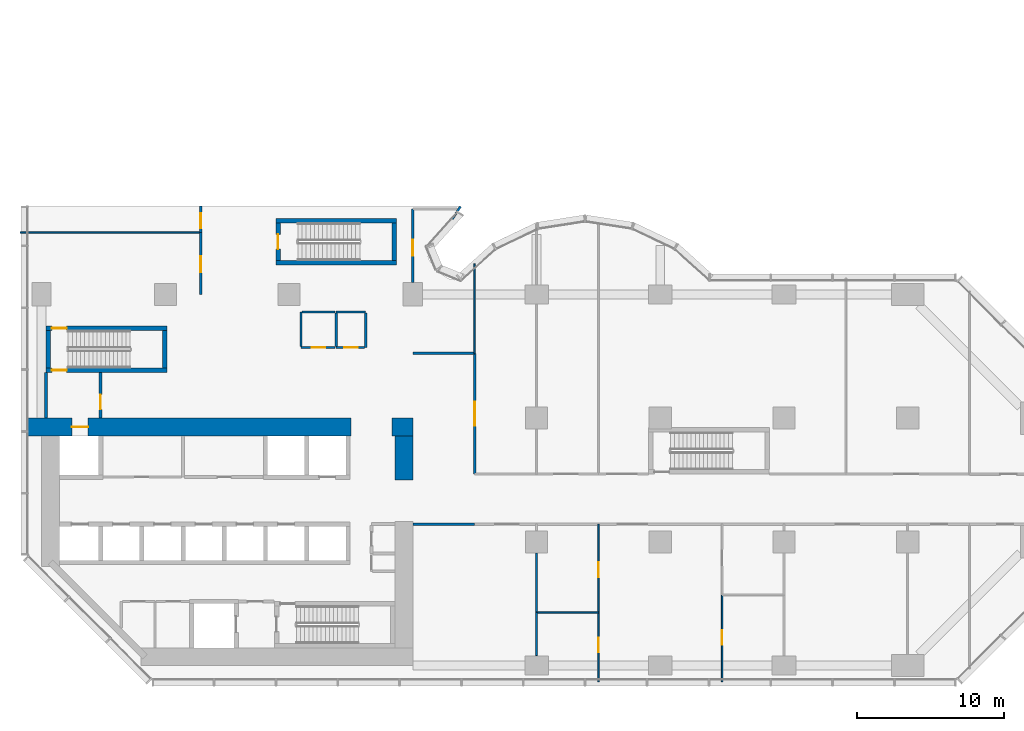
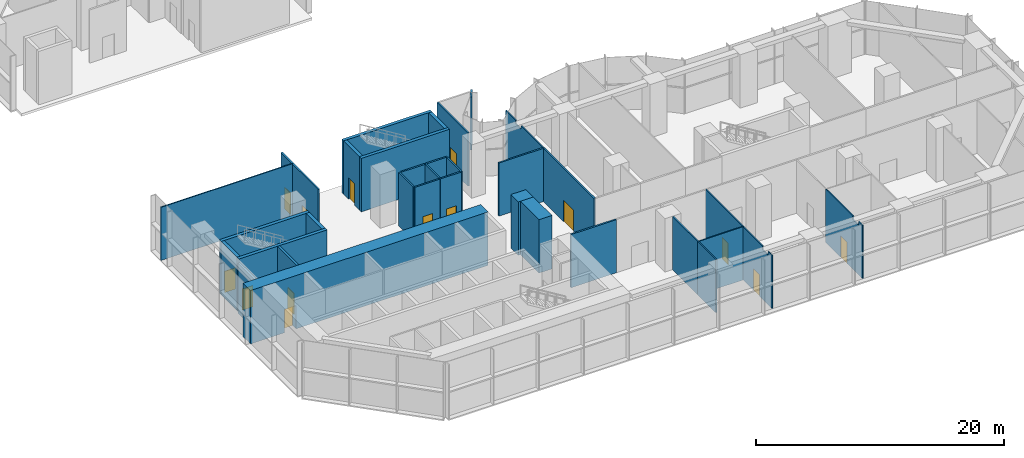
# One storey, part 9 of 16: 35 walls, 14 doors, 14 openings.
"""IFC4 building model written with IfcOpenShell, lengths in metres."""

import ifcopenshell
import ifcopenshell.guid

model = None  # the IFC model being written
_history = None  # IfcOwnerHistory: only IFC2X3 demands one
_inside = {}  # id of a spatial element -> (the spatial element, [elements in it])
_under = {}  # id of a project, library or spatial element -> (it, [spatial elements below it])
_declared = {}  # id of a project -> (the project, [libraries it declares])
_typed = {}  # id of a type object -> (the type object, [elements of that type])
_made_of = {}  # id of a material, layer set ... -> (it, [elements and type objects made of it])


def new_model(schema):
    """Start an empty IFC model of exactly this schema.

    Asked for "IFC4X3", IfcOpenShell would pick the latest addendum, in which some entities
    have other attributes; the version numbers below select the first issue.
    IFC2X3 requires an IfcOwnerHistory on every rooted entity: one is made here for all.
    """
    global model, _history
    if schema == "IFC4X3":
        model = ifcopenshell.file(schema_version=(4, 3, 0, 0))
    else:
        model = ifcopenshell.file(schema=schema)
    _inside.clear()
    _under.clear()
    _declared.clear()
    _typed.clear()
    _made_of.clear()
    _history = None
    if model.schema == "IFC2X3":
        org = make("IfcOrganization", Name="unknown")
        user = make(
            "IfcPersonAndOrganization",
            ThePerson=make("IfcPerson", FamilyName="unknown"),
            TheOrganization=org,
        )
        app = make(
            "IfcApplication",
            ApplicationDeveloper=org,
            Version="unknown",
            ApplicationFullName="unknown",
            ApplicationIdentifier="unknown",
        )
        _history = make(
            "IfcOwnerHistory",
            OwningUser=user,
            OwningApplication=app,
            ChangeAction="ADDED",
            CreationDate=0,
        )
    return model


def make(cls, **values):
    """One entity of the class cls with the attributes given. An attribute that is None is left unset."""
    return model.create_entity(
        cls, **{name: value for name, value in values.items() if value is not None}
    )


def rooted(cls, **values):
    """An entity with a GlobalId (a new one), such as an element, a storey or a relation."""
    return make(cls, GlobalId=ifcopenshell.guid.new(), OwnerHistory=_history, **values)


def si_unit(unit_type, name, prefix=None):
    """IfcSIUnit, for example si_unit("LENGTHUNIT", "METRE", prefix="MILLI")."""
    return make("IfcSIUnit", UnitType=unit_type, Prefix=prefix, Name=name)


def assignment(units):
    """IfcUnitAssignment: the units of a project."""
    return None if units is None else make("IfcUnitAssignment", Units=units)


def point(xyz):
    """IfcCartesianPoint."""
    return None if xyz is None else make("IfcCartesianPoint", Coordinates=xyz)


def direction(xyz):
    """IfcDirection."""
    return None if xyz is None else make("IfcDirection", DirectionRatios=xyz)


def frame(location, z_axis=None, x_axis=None):
    """IfcAxis2Placement3D, a coordinate frame: its origin and axes. An axis left out is left unset."""
    return make(
        "IfcAxis2Placement3D",
        Location=point(location),
        Axis=direction(z_axis),
        RefDirection=direction(x_axis),
    )


def frame_2d(location, x_axis=None):
    """IfcAxis2Placement2D, a coordinate frame in the plane: its origin and x axis."""
    return make(
        "IfcAxis2Placement2D", Location=point(location), RefDirection=direction(x_axis)
    )


def origin():
    """The frame at (0, 0, 0) with its axes left unset."""
    return frame((0.0, 0.0, 0.0))


def place(relative_to, where):
    """IfcLocalPlacement: puts the frame where relative to a parent placement (None: the world)."""
    return make(
        "IfcLocalPlacement", PlacementRelTo=relative_to, RelativePlacement=where
    )


def context(
    kind, dimensions, precision=None, world=None, true_north=None, identifier=None
):
    """IfcGeometricRepresentationContext, for example the 3D "Model" context."""
    return make(
        "IfcGeometricRepresentationContext",
        ContextIdentifier=identifier,
        ContextType=kind,
        CoordinateSpaceDimension=dimensions,
        Precision=precision,
        WorldCoordinateSystem=world,
        TrueNorth=true_north,
    )


def subcontext(parent, identifier, kind, view, scale=None):
    """IfcGeometricRepresentationSubContext, for example "Body" below "Model"."""
    return make(
        "IfcGeometricRepresentationSubContext",
        ContextIdentifier=identifier,
        ContextType=kind,
        ParentContext=parent,
        TargetScale=scale,
        TargetView=view,
    )


def project(units=None, contexts=None):
    """IfcProject with its units and contexts."""
    return rooted(
        "IfcProject",
        Name="project",
        RepresentationContexts=contexts,
        UnitsInContext=assignment(units),
    )


def spatial(cls, under=None, at=None, **own):
    """A site, building, storey or space (cls), placed at a placement, below another one or the project."""
    s = rooted(cls, ObjectPlacement=at, **own)
    if under is not None:
        _under.setdefault(under.id(), (under, []))[1].append(s)
    return s


def polyline(points):
    """IfcPolyline through the points."""
    return make("IfcPolyline", Points=[point(p) for p in points])


def profile(cls, at=None, kind="AREA", **sizes):
    """A parametric profile (cls). Its sizes go by their IFC names, for example OverallWidth=200.0."""
    return make(cls, ProfileType=kind, Position=at, **sizes)


def rectangle(**sizes):
    """IfcRectangleProfileDef."""
    return profile("IfcRectangleProfileDef", **sizes)


def outline(outer, holes=None, kind="AREA"):
    """IfcArbitraryClosedProfileDef: a profile drawn as a closed curve; with holes, ...WithVoids."""
    if holes is None:
        return make("IfcArbitraryClosedProfileDef", ProfileType=kind, OuterCurve=outer)
    return make(
        "IfcArbitraryProfileDefWithVoids",
        ProfileType=kind,
        OuterCurve=outer,
        InnerCurves=holes,
    )


def extrude(swept, where, along, depth):
    """IfcExtrudedAreaSolid: the profile swept, set in the frame where, extruded along a direction by depth."""
    return make(
        "IfcExtrudedAreaSolid",
        SweptArea=swept,
        Position=where,
        ExtrudedDirection=direction(along),
        Depth=depth,
    )


def shape(context_of_items, identifier, shape_type, items):
    """IfcShapeRepresentation: the items that make up one representation, for example the "Body"."""
    return make(
        "IfcShapeRepresentation",
        ContextOfItems=context_of_items,
        RepresentationIdentifier=identifier,
        RepresentationType=shape_type,
        Items=items,
    )


def material(Name=None, Category=None):
    """IfcMaterial."""
    return make("IfcMaterial", Name=Name, Category=Category)


def layer(
    of_material, thickness, ventilated=None, Name=None, Category=None, Priority=None
):
    """IfcMaterialLayer: one layer of a wall or slab, of a material (None: an air gap)."""
    return make(
        "IfcMaterialLayer",
        Material=of_material,
        LayerThickness=thickness,
        IsVentilated=ventilated,
        Name=Name,
        Category=Category,
        Priority=Priority,
    )


def layer_set(layers, Name=None):
    """IfcMaterialLayerSet."""
    return make("IfcMaterialLayerSet", MaterialLayers=layers, LayerSetName=Name)


def made_of(thing, what):
    """Note that an element or type object is made of a material, layer set ...; save() writes the relation."""
    if what is not None:
        _made_of.setdefault(what.id(), (what, []))[1].append(thing)
    return thing


def type_object(cls, material=None, **own):
    """A type object (cls), such as IfcWallType, which elements share."""
    return made_of(rooted(cls, **own), material)


def element(
    cls,
    number,
    at=None,
    inside=None,
    cuts=None,
    type_object=None,
    material=None,
    context=None,
    identifier="Body",
    shape_type=None,
    held_by="IfcProductDefinitionShape",
    body=None,
    shapes=None,
    **own,
):
    """One element of the class cls, such as IfcWall. Its Tag is "e" and its number.

    at: its placement. inside: the storey or other place that contains it. cuts: it is an
    opening in that element (IfcRelVoidsElement). A single representation is given by context,
    identifier, shape_type and body (its items); several are given by shapes. held_by: the class
    of the entity that holds the representations. save() writes the other relations.
    """
    e = rooted(cls, Tag="e%d" % number, ObjectPlacement=at, **own)
    if body is not None:
        shapes = [shape(context, identifier, shape_type, body)]
    if shapes is not None:
        e.Representation = make(held_by, Representations=shapes)
    if inside is not None:
        _inside.setdefault(inside.id(), (inside, []))[1].append(e)
    if cuts is not None:
        rooted(
            "IfcRelVoidsElement", RelatingBuildingElement=cuts, RelatedOpeningElement=e
        )
    if type_object is not None:
        _typed.setdefault(type_object.id(), (type_object, []))[1].append(e)
    return made_of(e, material)


def fill(opening, filler):
    """IfcRelFillsElement: the door or window that sits in an opening."""
    return rooted(
        "IfcRelFillsElement",
        RelatingOpeningElement=opening,
        RelatedBuildingElement=filler,
    )


def aggregate(whole, parts):
    """IfcRelAggregates: a whole, such as a stair, and the parts it consists of."""
    return rooted("IfcRelAggregates", RelatingObject=whole, RelatedObjects=parts)


def save(model, path):
    """Write the relations noted so far, then the file.

    IfcRelAggregates (storeys below a building ...), IfcRelContainedInSpatialStructure (elements
    in a storey), IfcRelDefinesByType, IfcRelAssociatesMaterial and IfcRelDeclares: one each for
    every whole, place, type object, material and project.
    """
    for whole, parts in _under.values():
        aggregate(whole, parts)
    for where, things in _inside.values():
        rooted(
            "IfcRelContainedInSpatialStructure",
            RelatedElements=things,
            RelatingStructure=where,
        )
    for kind, things in _typed.values():
        rooted("IfcRelDefinesByType", RelatedObjects=things, RelatingType=kind)
    for what, things in _made_of.values():
        rooted("IfcRelAssociatesMaterial", RelatedObjects=things, RelatingMaterial=what)
    for by, libraries in _declared.values():
        rooted("IfcRelDeclares", RelatingContext=by, RelatedDefinitions=libraries)
    model.write(path)


model = new_model("IFC4")

# Units and contexts
model_context = context("Model", 3, precision=1e-05, world=origin(), true_north=direction((0.0, 1.0)))
body_context = subcontext(model_context, "Body", "Model", "MODEL_VIEW")
ifc_project = project(units=[si_unit("LENGTHUNIT", "METRE"), si_unit("AREAUNIT", "SQUARE_METRE"), si_unit("VOLUMEUNIT", "CUBIC_METRE"), si_unit("PLANEANGLEUNIT", "RADIAN"), si_unit("MASSUNIT", "GRAM", prefix="KILO")], contexts=[model_context])

# Site, building, storey
site_placement = place(None, origin())
site = spatial("IfcSite", under=ifc_project, at=site_placement, CompositionType="ELEMENT")
building_placement = place(site_placement, origin())
building = spatial("IfcBuilding", under=site, at=building_placement, Name="Brevane Broadcast Tower", CompositionType="ELEMENT")
storey_placement = place(building_placement, frame((0.0, 0.0, 7.0)))
storey = spatial("IfcBuildingStorey", under=building, at=storey_placement, Name="L01", CompositionType="ELEMENT", Elevation=7.0)

# Walls
ifc_material_1 = material(Name="Gypsum board on steel studs", Category="steel")
ifc_layer_1 = layer(ifc_material_1, 0.14990234375)
ifc_layer_set_1 = layer_set([ifc_layer_1], Name="Core fire partition 150 mm")
wall_type_1 = type_object("IfcWallType", Name="Core fire partition 150 mm", PredefinedType="PARTITIONING", material=ifc_layer_set_1)
wall_1_placement = place(storey_placement, frame((20.0, 24.0, 0.0), z_axis=(0.0, 0.0, 1.0), x_axis=(1.0, 0.0, 0.0)))
element("IfcWall", 1, at=wall_1_placement, inside=storey, type_object=wall_type_1, Name="L01 partition wall P14", PredefinedType="PARTITIONING", context=body_context, shape_type="SweptSolid", body=[
    extrude(rectangle(XDim=2.0, YDim=0.14990234375, at=frame_2d((1.0, 0.0))), origin(), (0.0, 0.0, 1.0), 5.25),
])
wall_2_placement = place(storey_placement, frame((22.0, 23.925048828125, 0.0), z_axis=(0.0, 0.0, 1.0), x_axis=(0.0, -1.0, 0.0)))
element("IfcWall", 2, at=wall_2_placement, inside=storey, type_object=wall_type_1, Name="L01 partition wall P15", PredefinedType="PARTITIONING", context=body_context, shape_type="SweptSolid", body=[
    extrude(rectangle(XDim=2.324951171875, YDim=0.14990234375, at=frame_2d((1.16259765625, 0.0))), origin(), (0.0, 0.0, 1.0), 5.25),
])

# Wall, opening, door
wall_3_placement = place(storey_placement, frame((21.925048828125, 21.60009765625, 0.0), z_axis=(0.0, 0.0, 1.0), x_axis=(-1.0, 0.0, 0.0)))
wall_3 = element("IfcWall", 3, at=wall_3_placement, inside=storey, type_object=wall_type_1, Name="L01 partition wall P16", PredefinedType="PARTITIONING", context=body_context, shape_type="SweptSolid", body=[
    extrude(rectangle(XDim=1.925048828125, YDim=0.14990234375, at=frame_2d((0.96240234375, 0.0))), origin(), (0.0, 0.0, 1.0), 5.25),
])
opening_1_placement = place(wall_3_placement, frame((0.47509765625, 0.0, 0.0)))
opening_1 = element("IfcOpeningElement", 4, at=opening_1_placement, cuts=wall_3, Name="Opening L01-K27", PredefinedType="OPENING", context=body_context, shape_type="SweptSolid", body=[
    extrude(rectangle(XDim=0.89990234375, YDim=2.10009765625, at=frame_2d((0.449951171875, 1.050048828125))), frame((0.0, 0.0849609375, 0.0), z_axis=(0.0, -1.0, 0.0), x_axis=(1.0, 0.0, 0.0)), (0.0, 0.0, 1.0), 0.169921875),
])
ifc_material_2 = material(Name="Timber", Category="wood")
door_type_1 = type_object("IfcDoorType", Name="Toilet door 900 x 2100", OperationType="SINGLE_SWING_LEFT", PredefinedType="DOOR", material=ifc_material_2)
door_1_placement = place(opening_1_placement, origin())
door_1 = element("IfcDoor", 5, at=door_1_placement, inside=storey, type_object=door_type_1, Name="Door L01-K27", OperationType="SINGLE_SWING_LEFT", OverallHeight=2.10009765625, OverallWidth=0.89990234375, PredefinedType="DOOR", context=body_context, shape_type="SweptSolid", body=[
    extrude(rectangle(XDim=0.89990234375, YDim=2.10009765625, at=frame_2d((0.449951171875, 1.050048828125))), frame((0.0, 0.02490234375, 0.0), z_axis=(0.0, -1.0, 0.0), x_axis=(1.0, 0.0, 0.0)), (0.0, 0.0, 1.0), 0.050048828125),
])
fill(opening_1, door_1)

# Wall
wall_4_placement = place(storey_placement, frame((20.0, 21.675048828125, 0.0), z_axis=(0.0, 0.0, 1.0), x_axis=(0.0, 1.0, 0.0)))
element("IfcWall", 6, at=wall_4_placement, inside=storey, type_object=wall_type_1, Name="L01 partition wall P17", PredefinedType="PARTITIONING", context=body_context, shape_type="SweptSolid", body=[
    extrude(rectangle(XDim=2.25, YDim=0.14990234375, at=frame_2d((1.125, 0.0))), origin(), (0.0, 0.0, 1.0), 5.25),
])

# Wall, opening, door
wall_5_placement = place(storey_placement, frame((19.925048828125, 21.60009765625, 0.0), z_axis=(0.0, 0.0, 1.0), x_axis=(-1.0, 0.0, 0.0)))
wall_5 = element("IfcWall", 7, at=wall_5_placement, inside=storey, type_object=wall_type_1, Name="L01 partition wall P18", PredefinedType="PARTITIONING", context=body_context, shape_type="SweptSolid", body=[
    extrude(rectangle(XDim=2.324951171875, YDim=0.14990234375, at=frame_2d((1.16259765625, 0.0))), origin(), (0.0, 0.0, 1.0), 5.25),
])
opening_2_placement = place(wall_5_placement, frame((0.675048828125, 0.0, 0.0)))
opening_2 = element("IfcOpeningElement", 8, at=opening_2_placement, cuts=wall_5, Name="Opening L01-K28", PredefinedType="OPENING", context=body_context, shape_type="SweptSolid", body=[
    extrude(rectangle(XDim=0.89990234375, YDim=2.10009765625, at=frame_2d((0.449951171875, 1.050048828125))), frame((0.0, 0.0849609375, 0.0), z_axis=(0.0, -1.0, 0.0), x_axis=(1.0, 0.0, 0.0)), (0.0, 0.0, 1.0), 0.169921875),
])
ifc_material_3 = material(Name="Steel", Category="steel")
door_type_2 = type_object("IfcDoorType", Name="Service room door 900 x 2100", OperationType="SINGLE_SWING_LEFT", PredefinedType="DOOR", material=ifc_material_3)
door_2_placement = place(opening_2_placement, origin())
door_2 = element("IfcDoor", 9, at=door_2_placement, inside=storey, type_object=door_type_2, Name="Door L01-K28", OperationType="SINGLE_SWING_RIGHT", OverallHeight=2.10009765625, OverallWidth=0.89990234375, PredefinedType="DOOR", context=body_context, shape_type="SweptSolid", body=[
    extrude(rectangle(XDim=0.89990234375, YDim=2.10009765625, at=frame_2d((0.449951171875, 1.050048828125))), frame((0.0, 0.02490234375, 0.0), z_axis=(0.0, -1.0, 0.0), x_axis=(1.0, 0.0, 0.0)), (0.0, 0.0, 1.0), 0.050048828125),
])
fill(opening_2, door_2)

# Walls
wall_6_placement = place(storey_placement, frame((17.60009765625, 21.675048828125, 0.0), z_axis=(0.0, 0.0, 1.0), x_axis=(0.0, 1.0, 0.0)))
element("IfcWall", 10, at=wall_6_placement, inside=storey, type_object=wall_type_1, Name="L01 partition wall P19", PredefinedType="PARTITIONING", context=body_context, shape_type="SweptSolid", body=[
    extrude(rectangle(XDim=2.324951171875, YDim=0.14990234375, at=frame_2d((1.16259765625, 0.0))), origin(), (0.0, 0.0, 1.0), 5.25),
])
wall_7_placement = place(storey_placement, frame((17.675048828125, 24.0, 0.0), z_axis=(0.0, 0.0, 1.0), x_axis=(1.0, 0.0, 0.0)))
element("IfcWall", 11, at=wall_7_placement, inside=storey, type_object=wall_type_1, Name="L01 partition wall P20", PredefinedType="PARTITIONING", context=body_context, shape_type="SweptSolid", body=[
    extrude(rectangle(XDim=2.25, YDim=0.14990234375, at=frame_2d((1.125, 0.0))), origin(), (0.0, 0.0, 1.0), 5.25),
])
ifc_layer_2 = layer(ifc_material_1, 0.199951171875)
ifc_layer_set_2 = layer_set([ifc_layer_2], Name="Core fire partition 200 mm")
wall_type_2 = type_object("IfcWallType", Name="Core fire partition 200 mm", PredefinedType="PARTITIONING", material=ifc_layer_set_2)
wall_8_placement = place(storey_placement, frame((0.300048828125, 16.81201171875, 0.0), z_axis=(0.0, 0.0, 1.0), x_axis=(0.0, 1.0, 0.0)))
element("IfcWall", 12, at=wall_8_placement, inside=storey, type_object=wall_type_2, Name="L01 partition wall P01", PredefinedType="PARTITIONING", context=body_context, shape_type="SweptSolid", body=[
    extrude(rectangle(XDim=3.075927734375, YDim=0.199951171875, at=frame_2d((1.5380859375, 0.0))), origin(), (0.0, 0.0, 1.0), 4.8798828125),
])

# Wall, opening, door
wall_9_placement = place(storey_placement, frame((4.0, 19.887939453125, 0.0), z_axis=(0.0, 0.0, 1.0), x_axis=(0.0, -1.0, 0.0)))
wall_9 = element("IfcWall", 13, at=wall_9_placement, inside=storey, type_object=wall_type_2, Name="L01 partition wall P02", PredefinedType="PARTITIONING", context=body_context, shape_type="SweptSolid", body=[
    extrude(rectangle(XDim=3.075927734375, YDim=0.199951171875, at=frame_2d((1.5380859375, 0.0))), origin(), (0.0, 0.0, 1.0), 5.25),
])
opening_3_placement = place(wall_9_placement, frame((1.488037109375, 0.0, 0.0)))
opening_3 = element("IfcOpeningElement", 14, at=opening_3_placement, cuts=wall_9, Name="Opening L01-K26", PredefinedType="OPENING", context=body_context, shape_type="SweptSolid", body=[
    extrude(rectangle(XDim=1.0, YDim=2.10009765625, at=frame_2d((0.5, 1.050048828125))), frame((0.0, 0.10986328125, 0.0), z_axis=(0.0, -1.0, 0.0), x_axis=(1.0, 0.0, 0.0)), (0.0, 0.0, 1.0), 0.219970703125),
])
door_type_3 = type_object("IfcDoorType", Name="Stair door 1000 x 2100", OperationType="SINGLE_SWING_LEFT", PredefinedType="DOOR", material=ifc_material_3)
door_3_placement = place(opening_3_placement, origin())
door_3 = element("IfcDoor", 15, at=door_3_placement, inside=storey, type_object=door_type_3, Name="Door L01-K26", OperationType="SINGLE_SWING_RIGHT", OverallHeight=2.10009765625, OverallWidth=1.0, PredefinedType="DOOR", context=body_context, shape_type="SweptSolid", body=[
    extrude(rectangle(XDim=1.0, YDim=2.10009765625, at=frame_2d((0.5, 1.050048828125))), frame((0.0, 0.02490234375, 0.0), z_axis=(0.0, -1.0, 0.0), x_axis=(1.0, 0.0, 0.0)), (0.0, 0.0, 1.0), 0.050048828125),
])
fill(opening_3, door_3)

ifc_material_4 = material(Name="Concrete C80/95", Category="concrete")
ifc_layer_3 = layer(ifc_material_4, 1.199951171875)
ifc_layer_set_3 = layer_set([ifc_layer_3], Name="Core wall 1200 mm C80/95")
wall_type_3 = type_object("IfcWallType", Name="Core wall 1200 mm C80/95", PredefinedType="SHEAR", material=ifc_layer_set_3)
wall_10_placement = place(storey_placement, frame((-1.10009765625, 16.199951171875, 0.0), z_axis=(0.0, 0.0, 1.0), x_axis=(1.0, 0.0, 0.0)))
wall_10 = element("IfcWall", 16, at=wall_10_placement, inside=storey, type_object=wall_type_3, Name="L01 outer wall WN1", PredefinedType="SHEAR", context=body_context, shape_type="SweptSolid", body=[
    extrude(rectangle(XDim=22.10009765625, YDim=1.199951171875, at=frame_2d((11.050048828125, 0.0))), origin(), (0.0, 0.0, 1.0), 5.25),
])
opening_4_placement = place(wall_10_placement, frame((3.14990234375, 0.0, 0.0)))
opening_4 = element("IfcOpeningElement", 17, at=opening_4_placement, cuts=wall_10, Name="Opening LD", PredefinedType="OPENING", context=body_context, shape_type="SweptSolid", body=[
    extrude(rectangle(XDim=1.10009765625, YDim=2.300048828125, at=frame_2d((0.550048828125, 1.14990234375))), frame((0.0, 0.60986328125, 0.0), z_axis=(0.0, -1.0, 0.0), x_axis=(1.0, 0.0, 0.0)), (0.0, 0.0, 1.0), 1.219970703125),
])
ifc_material_5 = material(Name="Stainless steel", Category="steel")
door_type_4 = type_object("IfcDoorType", Name="Lift landing door", OperationType="SLIDING_TO_LEFT", PredefinedType="DOOR", material=ifc_material_5)
door_4_placement = place(opening_4_placement, origin())
door_4 = element("IfcDoor", 18, at=door_4_placement, inside=storey, type_object=door_type_4, Name="Landing door FF1 L01", OperationType="SLIDING_TO_LEFT", OverallHeight=2.300048828125, OverallWidth=1.10009765625, PredefinedType="DOOR", context=body_context, shape_type="SweptSolid", body=[
    extrude(rectangle(XDim=1.10009765625, YDim=2.300048828125, at=frame_2d((0.550048828125, 1.14990234375))), frame((0.0, 0.02490234375, 0.0), z_axis=(0.0, -1.0, 0.0), x_axis=(1.0, 0.0, 0.0)), (0.0, 0.0, 1.0), 0.050048828125),
])
fill(opening_4, door_4)

# Walls
wall_11_placement = place(storey_placement, frame((23.800048828125, 16.199951171875, 0.0), z_axis=(0.0, 0.0, 1.0), x_axis=(1.0, 0.0, 0.0)))
element("IfcWall", 19, at=wall_11_placement, inside=storey, type_object=wall_type_3, Name="L01 outer wall WN2", PredefinedType="SHEAR", context=body_context, shape_type="SweptSolid", body=[
    extrude(rectangle(XDim=1.39990234375, YDim=1.199951171875, at=frame_2d((0.699951171875, 0.0))), origin(), (0.0, 0.0, 1.0), 5.25),
])
wall_12_placement = place(storey_placement, frame((24.60009765625, 12.60009765625, 0.0), z_axis=(0.0, 0.0, 1.0), x_axis=(0.0, 1.0, 0.0)))
element("IfcWall", 20, at=wall_12_placement, inside=storey, type_object=wall_type_3, Name="L01 outer wall WE2", PredefinedType="SHEAR", context=body_context, shape_type="SweptSolid", body=[
    extrude(rectangle(XDim=3.0, YDim=1.199951171875, at=frame_2d((1.5, 0.0))), origin(), (0.0, 0.0, 1.0), 5.25),
])

# Wall, opening, door
ifc_layer_4 = layer(ifc_material_4, 0.300048828125)
ifc_layer_set_4 = layer_set([ifc_layer_4], Name="Core wall 300 mm C80/95")
wall_type_4 = type_object("IfcWallType", Name="Core wall 300 mm C80/95", PredefinedType="SHEAR", material=ifc_layer_set_4)
wall_13_placement = place(storey_placement, frame((8.5, 20.050048828125, 0.0), z_axis=(0.0, 0.0, 1.0), x_axis=(-1.0, 0.0, 0.0)))
wall_13 = element("IfcWall", 21, at=wall_13_placement, inside=storey, type_object=wall_type_4, Name="L01 stair wall ST-1-S", PredefinedType="SHEAR", context=body_context, shape_type="SweptSolid", body=[
    extrude(rectangle(XDim=8.199951171875, YDim=0.300048828125, at=frame_2d((4.10009765625, 0.0))), origin(), (0.0, 0.0, 1.0), 5.25),
])
opening_5_placement = place(wall_13_placement, frame((6.800048828125, 0.0, 0.0)))
opening_5 = element("IfcOpeningElement", 22, at=opening_5_placement, cuts=wall_13, Name="Opening L01-K11", PredefinedType="OPENING", context=body_context, shape_type="SweptSolid", body=[
    extrude(rectangle(XDim=1.0, YDim=2.10009765625, at=frame_2d((0.5, 1.050048828125))), frame((0.0, 0.159912109375, 0.0), z_axis=(0.0, -1.0, 0.0), x_axis=(1.0, 0.0, 0.0)), (0.0, 0.0, 1.0), 0.320068359375),
])
door_5_placement = place(opening_5_placement, origin())
door_5 = element("IfcDoor", 23, at=door_5_placement, inside=storey, type_object=door_type_3, Name="Door L01-K11", OperationType="SINGLE_SWING_LEFT", OverallHeight=2.10009765625, OverallWidth=1.0, PredefinedType="DOOR", context=body_context, shape_type="SweptSolid", body=[
    extrude(rectangle(XDim=1.0, YDim=2.10009765625, at=frame_2d((0.5, 1.050048828125))), frame((0.0, 0.02490234375, 0.0), z_axis=(0.0, -1.0, 0.0), x_axis=(1.0, 0.0, 0.0)), (0.0, 0.0, 1.0), 0.050048828125),
])
fill(opening_5, door_5)

wall_14_placement = place(storey_placement, frame((0.300048828125, 22.89990234375, 0.0), z_axis=(0.0, 0.0, 1.0), x_axis=(1.0, 0.0, 0.0)))
wall_14 = element("IfcWall", 24, at=wall_14_placement, inside=storey, type_object=wall_type_4, Name="L01 stair wall ST-1-N", PredefinedType="SHEAR", context=body_context, shape_type="SweptSolid", body=[
    extrude(rectangle(XDim=8.199951171875, YDim=0.300048828125, at=frame_2d((4.10009765625, 0.0))), origin(), (0.0, 0.0, 1.0), 5.25),
])
opening_6_placement = place(wall_14_placement, frame((0.39990234375, 0.0, 0.0)))
opening_6 = element("IfcOpeningElement", 25, at=opening_6_placement, cuts=wall_14, Name="Opening L01-K12", PredefinedType="OPENING", context=body_context, shape_type="SweptSolid", body=[
    extrude(rectangle(XDim=1.0, YDim=2.10009765625, at=frame_2d((0.5, 1.050048828125))), frame((0.0, 0.159912109375, 0.0), z_axis=(0.0, -1.0, 0.0), x_axis=(1.0, 0.0, 0.0)), (0.0, 0.0, 1.0), 0.320068359375),
])
door_6_placement = place(opening_6_placement, origin())
door_6 = element("IfcDoor", 26, at=door_6_placement, inside=storey, type_object=door_type_3, Name="Door L01-K12", OperationType="SINGLE_SWING_RIGHT", OverallHeight=2.10009765625, OverallWidth=1.0, PredefinedType="DOOR", context=body_context, shape_type="SweptSolid", body=[
    extrude(rectangle(XDim=1.0, YDim=2.10009765625, at=frame_2d((0.5, 1.050048828125))), frame((0.0, 0.02490234375, 0.0), z_axis=(0.0, -1.0, 0.0), x_axis=(1.0, 0.0, 0.0)), (0.0, 0.0, 1.0), 0.050048828125),
])
fill(opening_6, door_6)

# Walls
for number, where, z_axis, x_axis, name in (
    (27, (0.449951171875, 20.199951171875, 0.0), (0.0, 0.0, 1.0), (0.0, 1.0, 0.0), "L01 stair wall ST-1-W"),
    (28, (8.35009765625, 20.199951171875, 0.0), (0.0, 0.0, 1.0), (0.0, 1.0, 0.0), "L01 stair wall ST-1-E"),
):
    element("IfcWall", number, at=place(storey_placement, frame(where, z_axis=z_axis, x_axis=x_axis)), inside=storey, type_object=wall_type_4, Name=name, PredefinedType="SHEAR", context=body_context, shape_type="SweptSolid", body=[
        extrude(rectangle(XDim=2.550048828125, YDim=0.300048828125, at=frame_2d((1.27490234375, 0.0))), origin(), (0.0, 0.0, 1.0), 5.25),
    ])
for number, where, z_axis, x_axis, name in (
    (29, (15.89990234375, 27.35009765625, 0.0), (0.0, 0.0, 1.0), (1.0, 0.0, 0.0), "L01 stair wall ST-3-S"),
    (30, (15.89990234375, 30.199951171875, 0.0), (0.0, 0.0, 1.0), (1.0, 0.0, 0.0), "L01 stair wall ST-3-N"),
):
    element("IfcWall", number, at=place(storey_placement, frame(where, z_axis=z_axis, x_axis=x_axis)), inside=storey, type_object=wall_type_4, Name=name, PredefinedType="SHEAR", context=body_context, shape_type="SweptSolid", body=[
        extrude(rectangle(XDim=8.2001953125, YDim=0.300048828125, at=frame_2d((4.10009765625, 0.0))), origin(), (0.0, 0.0, 1.0), 5.25),
    ])

# Wall, opening, door
wall_15_placement = place(storey_placement, frame((16.050048828125, 27.5, 0.0), z_axis=(0.0, 0.0, 1.0), x_axis=(0.0, 1.0, 0.0)))
wall_15 = element("IfcWall", 31, at=wall_15_placement, inside=storey, type_object=wall_type_4, Name="L01 stair wall ST-3-W", PredefinedType="SHEAR", context=body_context, shape_type="SweptSolid", body=[
    extrude(rectangle(XDim=2.550048828125, YDim=0.300048828125, at=frame_2d((1.27490234375, 0.0))), origin(), (0.0, 0.0, 1.0), 5.25),
])
opening_7_placement = place(wall_15_placement, frame((0.77490234375, 0.0, 0.0)))
opening_7 = element("IfcOpeningElement", 32, at=opening_7_placement, cuts=wall_15, Name="Opening L01-K15", PredefinedType="OPENING", context=body_context, shape_type="SweptSolid", body=[
    extrude(rectangle(XDim=1.0, YDim=2.10009765625, at=frame_2d((0.5, 1.050048828125))), frame((0.0, 0.159912109375, 0.0), z_axis=(0.0, -1.0, 0.0), x_axis=(1.0, 0.0, 0.0)), (0.0, 0.0, 1.0), 0.320068359375),
])
door_7_placement = place(opening_7_placement, origin())
door_7 = element("IfcDoor", 33, at=door_7_placement, inside=storey, type_object=door_type_3, Name="Door L01-K15", OperationType="SINGLE_SWING_LEFT", OverallHeight=2.10009765625, OverallWidth=1.0, PredefinedType="DOOR", context=body_context, shape_type="SweptSolid", body=[
    extrude(rectangle(XDim=1.0, YDim=2.10009765625, at=frame_2d((0.5, 1.050048828125))), frame((0.0, 0.02490234375, 0.0), z_axis=(0.0, -1.0, 0.0), x_axis=(1.0, 0.0, 0.0)), (0.0, 0.0, 1.0), 0.050048828125),
])
fill(opening_7, door_7)

# Walls
wall_16_placement = place(storey_placement, frame((23.949951171875, 27.5, 0.0), z_axis=(0.0, 0.0, 1.0), x_axis=(0.0, 1.0, 0.0)))
element("IfcWall", 34, at=wall_16_placement, inside=storey, type_object=wall_type_4, Name="L01 stair wall ST-3-E", PredefinedType="SHEAR", context=body_context, shape_type="SweptSolid", body=[
    extrude(rectangle(XDim=2.550048828125, YDim=0.300048828125, at=frame_2d((1.27490234375, 0.0))), origin(), (0.0, 0.0, 1.0), 5.25),
])
ifc_material_6 = material(Name="Gypsum board partition")
ifc_layer_5 = layer(ifc_material_6, 0.10009765625)
ifc_layer_set_5 = layer_set([ifc_layer_5], Name="PARTITION 100 STUD")
wall_type_5 = type_object("IfcWallType", Name="PARTITION 100 STUD", PredefinedType="PARTITIONING", material=ifc_layer_set_5)
wall_17_placement = place(storey_placement, frame((29.39990234375, 27.27490234375, 0.0), z_axis=(0.0, 0.0, 1.0), x_axis=(0.0, -1.0, 0.0)))
element("IfcWall", 35, at=wall_17_placement, inside=storey, type_object=wall_type_5, Name="Partition P1-004", PredefinedType="PARTITIONING", context=body_context, shape_type="SweptSolid", body=[
    extrude(outline(polyline([(0.0, 0.0), (6.074951171875, 0.0), (6.074951171875, 5.22998046875), (2.52490234375, 5.22998046875), (2.52294921875, 4.8798828125), (1.626953125, 4.8798828125), (1.625, 5.22998046875), (0.0, 5.22998046875), (0.0, 0.0)])), frame((0.0, 0.050048828125, 0.0), z_axis=(0.0, -1.0, 0.0), x_axis=(1.0, 0.0, 0.0)), (0.0, 0.0, 1.0), 0.10009765625),
])

# Wall, opening, door
wall_18_placement = place(storey_placement, frame((46.199951171875, 4.800048828125, 0.0), z_axis=(0.0, 0.0, 1.0), x_axis=(0.0, -1.0, 0.0)))
wall_18 = element("IfcWall", 36, at=wall_18_placement, inside=storey, type_object=wall_type_5, Name="Partition P1-024", PredefinedType="PARTITIONING", context=body_context, shape_type="SweptSolid", body=[
    extrude(outline(polyline([(0.0, 0.0), (5.900146484375, 0.0), (5.89990234375, 5.22998046875), (5.25, 5.22998046875), (5.248046875, 4.8798828125), (4.35205078125, 4.8798828125), (4.35009765625, 5.22998046875), (0.0, 5.22998046875), (0.0, 0.0)])), frame((0.0, 0.050048828125, 0.0), z_axis=(0.0, -1.0, 0.0), x_axis=(1.0, 0.0, 0.0)), (0.0, 0.0, 1.0), 0.10009765625),
])
opening_8_placement = place(wall_18_placement, frame((2.39990234375, 0.0, 0.0)))
opening_8 = element("IfcOpeningElement", 37, at=opening_8_placement, cuts=wall_18, Name="Opening D02-004", PredefinedType="OPENING", context=body_context, shape_type="SweptSolid", body=[
    extrude(rectangle(XDim=1.0, YDim=2.10009765625, at=frame_2d((0.5, 1.050048828125))), frame((0.0, 0.06005859375, 0.0), z_axis=(0.0, -1.0, 0.0), x_axis=(1.0, 0.0, 0.0)), (0.0, 0.0, 1.0), 0.1201171875),
])
ifc_material_7 = material(Name="Timber door leaf", Category="wood")
door_type_5 = type_object("IfcDoorType", Name="DOOR SINGLE 1000 INTERNAL", OperationType="SINGLE_SWING_LEFT", PredefinedType="DOOR", material=ifc_material_7)
door_8_placement = place(opening_8_placement, origin())
door_8 = element("IfcDoor", 38, at=door_8_placement, inside=storey, type_object=door_type_5, Name="Door D02-004", OperationType="SINGLE_SWING_LEFT", OverallHeight=2.10009765625, OverallWidth=1.0, PredefinedType="DOOR", context=body_context, shape_type="SweptSolid", body=[
    extrude(rectangle(XDim=1.0, YDim=2.10009765625, at=frame_2d((0.5, 1.050048828125))), frame((0.0, 0.02490234375, 0.0), z_axis=(0.0, -1.0, 0.0), x_axis=(1.0, 0.0, 0.0)), (0.0, 0.0, 1.0), 0.050048828125),
])
fill(opening_8, door_8)

wall_19_placement = place(storey_placement, frame((37.800048828125, -1.10009765625, 0.0), z_axis=(0.0, 0.0, 1.0), x_axis=(0.0, 1.0, 0.0)))
wall_19 = element("IfcWall", 39, at=wall_19_placement, inside=storey, type_object=wall_type_5, Name="Partition P1-026", PredefinedType="PARTITIONING", context=body_context, shape_type="SweptSolid", body=[
    extrude(outline(polyline([(0.0, 0.0), (4.7001953125, 0.0), (4.699951171875, 5.22998046875), (1.550048828125, 5.22998046875), (1.548095703125, 4.8798828125), (0.652099609375, 4.8798828125), (0.64990234375, 5.22998046875), (0.0, 5.22998046875), (0.0, 0.0)])), frame((0.0, 0.050048828125, 0.0), z_axis=(0.0, -1.0, 0.0), x_axis=(1.0, 0.0, 0.0)), (0.0, 0.0, 1.0), 0.10009765625),
])
opening_9_placement = place(wall_19_placement, frame((2.0, 0.0, 0.0)))
opening_9 = element("IfcOpeningElement", 40, at=opening_9_placement, cuts=wall_19, Name="Opening D02-006", PredefinedType="OPENING", context=body_context, shape_type="SweptSolid", body=[
    extrude(rectangle(XDim=1.0, YDim=2.10009765625, at=frame_2d((0.5, 1.050048828125))), frame((0.0, 0.06005859375, 0.0), z_axis=(0.0, -1.0, 0.0), x_axis=(1.0, 0.0, 0.0)), (0.0, 0.0, 1.0), 0.1201171875),
])
door_9_placement = place(opening_9_placement, origin())
door_9 = element("IfcDoor", 41, at=door_9_placement, inside=storey, type_object=door_type_5, Name="Door D02-006", OperationType="SINGLE_SWING_LEFT", OverallHeight=2.10009765625, OverallWidth=1.0, PredefinedType="DOOR", context=body_context, shape_type="SweptSolid", body=[
    extrude(rectangle(XDim=1.0, YDim=2.10009765625, at=frame_2d((0.5, 1.050048828125))), frame((0.0, 0.02490234375, 0.0), z_axis=(0.0, -1.0, 0.0), x_axis=(1.0, 0.0, 0.0)), (0.0, 0.0, 1.0), 0.050048828125),
])
fill(opening_9, door_9)

wall_20_placement = place(storey_placement, frame((37.800048828125, 3.60009765625, 0.0), z_axis=(0.0, 0.0, 1.0), x_axis=(0.0, 1.0, 0.0)))
wall_20 = element("IfcWall", 42, at=wall_20_placement, inside=storey, type_object=wall_type_5, Name="Partition P1-027", PredefinedType="PARTITIONING", context=body_context, shape_type="SweptSolid", body=[
    extrude(rectangle(XDim=6.0, YDim=0.10009765625, at=frame_2d((3.0, 0.0))), origin(), (0.0, 0.0, 1.0), 5.22998046875),
])
opening_10_placement = place(wall_20_placement, frame((2.39990234375, 0.0, 0.0)))
opening_10 = element("IfcOpeningElement", 43, at=opening_10_placement, cuts=wall_20, Name="Opening D02-007", PredefinedType="OPENING", context=body_context, shape_type="SweptSolid", body=[
    extrude(rectangle(XDim=1.0, YDim=2.10009765625, at=frame_2d((0.5, 1.050048828125))), frame((0.0, 0.06005859375, 0.0), z_axis=(0.0, -1.0, 0.0), x_axis=(1.0, 0.0, 0.0)), (0.0, 0.0, 1.0), 0.1201171875),
])
door_10_placement = place(opening_10_placement, origin())
door_10 = element("IfcDoor", 44, at=door_10_placement, inside=storey, type_object=door_type_5, Name="Door D02-007", OperationType="SINGLE_SWING_LEFT", OverallHeight=2.10009765625, OverallWidth=1.0, PredefinedType="DOOR", context=body_context, shape_type="SweptSolid", body=[
    extrude(rectangle(XDim=1.0, YDim=2.10009765625, at=frame_2d((0.5, 1.050048828125))), frame((0.0, 0.02490234375, 0.0), z_axis=(0.0, -1.0, 0.0), x_axis=(1.0, 0.0, 0.0)), (0.0, 0.0, 1.0), 0.050048828125),
])
fill(opening_10, door_10)

# Walls
wall_21_placement = place(storey_placement, frame((33.60009765625, 3.60009765625, 0.0), z_axis=(0.0, 0.0, 1.0), x_axis=(1.0, 0.0, 0.0)))
element("IfcWall", 45, at=wall_21_placement, inside=storey, type_object=wall_type_5, Name="Partition P1-032", PredefinedType="PARTITIONING", context=body_context, shape_type="SweptSolid", body=[
    extrude(rectangle(XDim=4.199951171875, YDim=0.10009765625, at=frame_2d((2.10009765625, 0.0))), origin(), (0.0, 0.0, 1.0), 5.22998046875),
])
wall_22_placement = place(storey_placement, frame((-1.469970703125, 29.39990234375, 0.0), z_axis=(0.0, 0.0, 1.0), x_axis=(1.0, 0.0, 0.0)))
element("IfcWall", 46, at=wall_22_placement, inside=storey, type_object=wall_type_5, Name="Partition P1-053", PredefinedType="PARTITIONING", context=body_context, shape_type="SweptSolid", body=[
    extrude(rectangle(XDim=12.27001953125, YDim=0.10009765625, at=frame_2d((6.135009765625, 0.0))), origin(), (0.0, 0.0, 1.0), 5.22998046875),
])
ifc_layer_6 = layer(ifc_material_6, 0.125)
ifc_layer_set_6 = layer_set([ifc_layer_6], Name="PARTITION 125 ACOUSTIC")
wall_type_6 = type_object("IfcWallType", Name="PARTITION 125 ACOUSTIC", PredefinedType="PARTITIONING", material=ifc_layer_set_6)
wall_23_placement = place(storey_placement, frame((33.60009765625, 3.60009765625, 0.0), z_axis=(0.0, 0.0, 1.0), x_axis=(0.0, -1.0, 0.0)))
element("IfcWall", 47, at=wall_23_placement, inside=storey, type_object=wall_type_6, Name="Partition P1-021", PredefinedType="PARTITIONING", context=body_context, shape_type="SweptSolid", body=[
    extrude(rectangle(XDim=2.93017578125, YDim=0.125, at=frame_2d((1.465087890625, 0.0))), origin(), (0.0, 0.0, 1.0), 5.22998046875),
])
wall_24_placement = place(storey_placement, frame((33.60009765625, 7.6298828125, 0.0), z_axis=(0.0, 0.0, 1.0), x_axis=(0.0, -1.0, 0.0)))
element("IfcWall", 48, at=wall_24_placement, inside=storey, type_object=wall_type_6, Name="Partition P1-023", PredefinedType="PARTITIONING", context=body_context, shape_type="SweptSolid", body=[
    extrude(rectangle(XDim=4.02978515625, YDim=0.125, at=frame_2d((2.014892578125, 0.0))), origin(), (0.0, 0.0, 1.0), 5.22998046875),
])
ifc_layer_7 = layer(ifc_material_6, 0.14990234375)
ifc_layer_set_7 = layer_set([ifc_layer_7], Name="PARTITION 150 EI 60")
wall_type_7 = type_object("IfcWallType", Name="PARTITION 150 EI 60", PredefinedType="PARTITIONING", material=ifc_layer_set_7)
for number, where, z_axis, x_axis, name in (
    (49, (25.199951171875, 21.199951171875, 0.0), (0.0, 0.0, 1.0), (1.0, 0.0, 0.0), "Partition P1-001"),
    (50, (29.39990234375, 9.60009765625, 0.0), (0.0, 0.0, 1.0), (-1.0, 0.0, 0.0), "Partition P1-002"),
):
    element("IfcWall", number, at=place(storey_placement, frame(where, z_axis=z_axis, x_axis=x_axis)), inside=storey, type_object=wall_type_7, Name=name, PredefinedType="PARTITIONING", context=body_context, shape_type="SweptSolid", body=[
        extrude(rectangle(XDim=4.199951171875, YDim=0.14990234375, at=frame_2d((2.10009765625, 0.0))), origin(), (0.0, 0.0, 1.0), 5.22998046875),
    ])

# Wall, opening, door
wall_25_placement = place(storey_placement, frame((29.39990234375, 21.199951171875, 0.0), z_axis=(0.0, 0.0, 1.0), x_axis=(0.0, -1.0, 0.0)))
wall_25 = element("IfcWall", 51, at=wall_25_placement, inside=storey, type_object=wall_type_7, Name="Partition P1-003", PredefinedType="PARTITIONING", context=body_context, shape_type="SweptSolid", body=[
    extrude(rectangle(XDim=8.199951171875, YDim=0.14990234375, at=frame_2d((4.10009765625, 0.0))), origin(), (0.0, 0.0, 1.0), 5.22998046875),
])
opening_11_placement = place(wall_25_placement, frame((3.300048828125, 0.0, 0.0)))
opening_11 = element("IfcOpeningElement", 52, at=opening_11_placement, cuts=wall_25, Name="Opening D02-011", PredefinedType="OPENING", context=body_context, shape_type="SweptSolid", body=[
    extrude(rectangle(XDim=1.60009765625, YDim=2.10009765625, at=frame_2d((0.800048828125, 1.050048828125))), frame((0.0, 0.0849609375, 0.0), z_axis=(0.0, -1.0, 0.0), x_axis=(1.0, 0.0, 0.0)), (0.0, 0.0, 1.0), 0.169921875),
])
ifc_material_8 = material(Name="Fire-rated timber door leaf", Category="wood")
door_type_6 = type_object("IfcDoorType", Name="DOOR DOUBLE 1600 FD30S", OperationType="DOUBLE_DOOR_SINGLE_SWING", PredefinedType="DOOR", material=ifc_material_8)
door_11_placement = place(opening_11_placement, origin())
door_11 = element("IfcDoor", 53, at=door_11_placement, inside=storey, type_object=door_type_6, Name="Door D02-011", OperationType="DOUBLE_DOOR_SINGLE_SWING", OverallHeight=2.10009765625, OverallWidth=1.60009765625, PredefinedType="DOOR", context=body_context, shape_type="SweptSolid", body=[
    extrude(rectangle(XDim=1.60009765625, YDim=2.10009765625, at=frame_2d((0.800048828125, 1.050048828125))), frame((0.0, 0.02490234375, 0.0), z_axis=(0.0, -1.0, 0.0), x_axis=(1.0, 0.0, 0.0)), (0.0, 0.0, 1.0), 0.050048828125),
])
fill(opening_11, door_11)

wall_26_placement = place(storey_placement, frame((25.199951171875, 31.0, 0.0), z_axis=(0.0, 0.0, 1.0), x_axis=(0.0, -1.0, 0.0)))
wall_26 = element("IfcWall", 54, at=wall_26_placement, inside=storey, type_object=wall_type_7, Name="Partition P1-005", PredefinedType="PARTITIONING", context=body_context, shape_type="SweptSolid", body=[
    extrude(rectangle(XDim=4.97998046875, YDim=0.14990234375, at=frame_2d((2.489990234375, 0.0))), origin(), (0.0, 0.0, 1.0), 5.22998046875),
])
opening_12_placement = place(wall_26_placement, frame((2.080078125, 0.0, 0.0)))
opening_12 = element("IfcOpeningElement", 55, at=opening_12_placement, cuts=wall_26, Name="Opening D02-001", PredefinedType="OPENING", context=body_context, shape_type="SweptSolid", body=[
    extrude(rectangle(XDim=1.10009765625, YDim=2.10009765625, at=frame_2d((0.550048828125, 1.050048828125))), frame((0.0, 0.0849609375, 0.0), z_axis=(0.0, -1.0, 0.0), x_axis=(1.0, 0.0, 0.0)), (0.0, 0.0, 1.0), 0.169921875),
])
door_type_7 = type_object("IfcDoorType", Name="DOOR SINGLE 1100 FD30S", OperationType="SINGLE_SWING_LEFT", PredefinedType="DOOR", material=ifc_material_8)
door_12_placement = place(opening_12_placement, origin())
door_12 = element("IfcDoor", 56, at=door_12_placement, inside=storey, type_object=door_type_7, Name="Door D02-001", OperationType="SINGLE_SWING_RIGHT", OverallHeight=2.10009765625, OverallWidth=1.10009765625, PredefinedType="DOOR", context=body_context, shape_type="SweptSolid", body=[
    extrude(rectangle(XDim=1.10009765625, YDim=2.10009765625, at=frame_2d((0.550048828125, 1.050048828125))), frame((0.0, 0.02490234375, 0.0), z_axis=(0.0, -1.0, 0.0), x_axis=(1.0, 0.0, 0.0)), (0.0, 0.0, 1.0), 0.050048828125),
])
fill(opening_12, door_12)

# Wall
wall_27_placement = place(storey_placement, frame((28.432373046875, 31.168212890625, 0.0), z_axis=(0.0, 0.0, 1.0), x_axis=(-0.540854867502, -0.841115932734, 0.0)))
element("IfcWall", 57, at=wall_27_placement, inside=storey, type_object=wall_type_7, Name="Partition P1-007", PredefinedType="PARTITIONING", context=body_context, shape_type="SweptSolid", body=[
    extrude(rectangle(XDim=1.0146484375, YDim=0.14990234375, at=frame_2d((0.50732421875, 0.0))), origin(), (0.0, 0.0, 1.0), 5.22998046875),
])

# Wall, opening, door
wall_28_placement = place(storey_placement, frame((10.800048828125, 25.199951171875, 0.0), z_axis=(0.0, 0.0, 1.0), x_axis=(0.0, 1.0, 0.0)))
wall_28 = element("IfcWall", 58, at=wall_28_placement, inside=storey, type_object=wall_type_7, Name="Partition P1-042", PredefinedType="PARTITIONING", context=body_context, shape_type="SweptSolid", body=[
    extrude(rectangle(XDim=4.199951171875, YDim=0.14990234375, at=frame_2d((2.10009765625, 0.0))), origin(), (0.0, 0.0, 1.0), 5.22998046875),
])
opening_13_placement = place(wall_28_placement, frame((1.5, 0.0, 0.0)))
opening_13 = element("IfcOpeningElement", 59, at=opening_13_placement, cuts=wall_28, Name="Opening D02-016", PredefinedType="OPENING", context=body_context, shape_type="SweptSolid", body=[
    extrude(rectangle(XDim=1.10009765625, YDim=2.10009765625, at=frame_2d((0.550048828125, 1.050048828125))), frame((0.0, 0.0849609375, 0.0), z_axis=(0.0, -1.0, 0.0), x_axis=(1.0, 0.0, 0.0)), (0.0, 0.0, 1.0), 0.169921875),
])
door_13_placement = place(opening_13_placement, origin())
door_13 = element("IfcDoor", 60, at=door_13_placement, inside=storey, type_object=door_type_7, Name="Door D02-016", OperationType="SINGLE_SWING_LEFT", OverallHeight=2.10009765625, OverallWidth=1.10009765625, PredefinedType="DOOR", context=body_context, shape_type="SweptSolid", body=[
    extrude(rectangle(XDim=1.10009765625, YDim=2.10009765625, at=frame_2d((0.550048828125, 1.050048828125))), frame((0.0, 0.02490234375, 0.0), z_axis=(0.0, -1.0, 0.0), x_axis=(1.0, 0.0, 0.0)), (0.0, 0.0, 1.0), 0.050048828125),
])
fill(opening_13, door_13)

wall_29_placement = place(storey_placement, frame((10.800048828125, 29.39990234375, 0.0), z_axis=(0.0, 0.0, 1.0), x_axis=(0.0, 1.0, 0.0)))
wall_29 = element("IfcWall", 61, at=wall_29_placement, inside=storey, type_object=wall_type_7, Name="Partition P1-043", PredefinedType="PARTITIONING", context=body_context, shape_type="SweptSolid", body=[
    extrude(rectangle(XDim=1.800048828125, YDim=0.14990234375, at=frame_2d((0.89990234375, 0.0))), origin(), (0.0, 0.0, 1.0), 5.22998046875),
])
opening_14_placement = place(wall_29_placement, frame((0.300048828125, 0.0, 0.0)))
opening_14 = element("IfcOpeningElement", 62, at=opening_14_placement, cuts=wall_29, Name="Opening D02-017", PredefinedType="OPENING", context=body_context, shape_type="SweptSolid", body=[
    extrude(rectangle(XDim=1.0, YDim=2.10009765625, at=frame_2d((0.5, 1.050048828125))), frame((0.0, 0.0849609375, 0.0), z_axis=(0.0, -1.0, 0.0), x_axis=(1.0, 0.0, 0.0)), (0.0, 0.0, 1.0), 0.169921875),
])
door_type_8 = type_object("IfcDoorType", Name="DOOR SINGLE 1000 FD30S", OperationType="SINGLE_SWING_LEFT", PredefinedType="DOOR", material=ifc_material_8)
door_14_placement = place(opening_14_placement, origin())
door_14 = element("IfcDoor", 63, at=door_14_placement, inside=storey, type_object=door_type_8, Name="Door D02-017", OperationType="SINGLE_SWING_LEFT", OverallHeight=2.10009765625, OverallWidth=1.0, PredefinedType="DOOR", context=body_context, shape_type="SweptSolid", body=[
    extrude(rectangle(XDim=1.0, YDim=2.10009765625, at=frame_2d((0.5, 1.050048828125))), frame((0.0, 0.02490234375, 0.0), z_axis=(0.0, -1.0, 0.0), x_axis=(1.0, 0.0, 0.0)), (0.0, 0.0, 1.0), 0.050048828125),
])
fill(opening_14, door_14)

save(model, "model.ifc")
